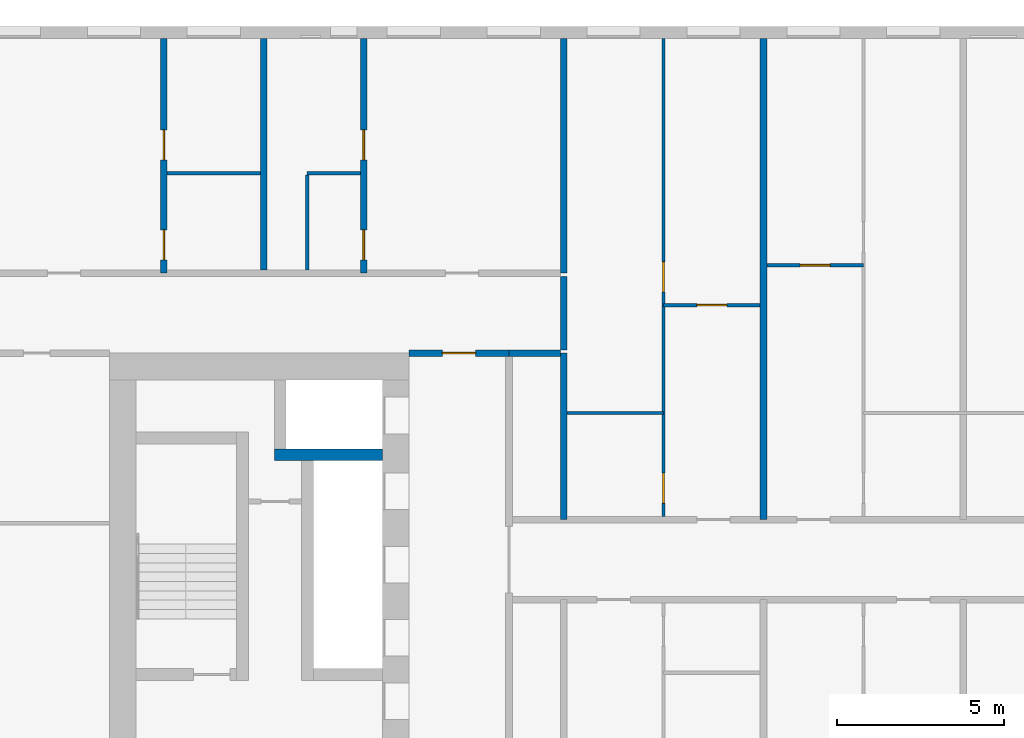
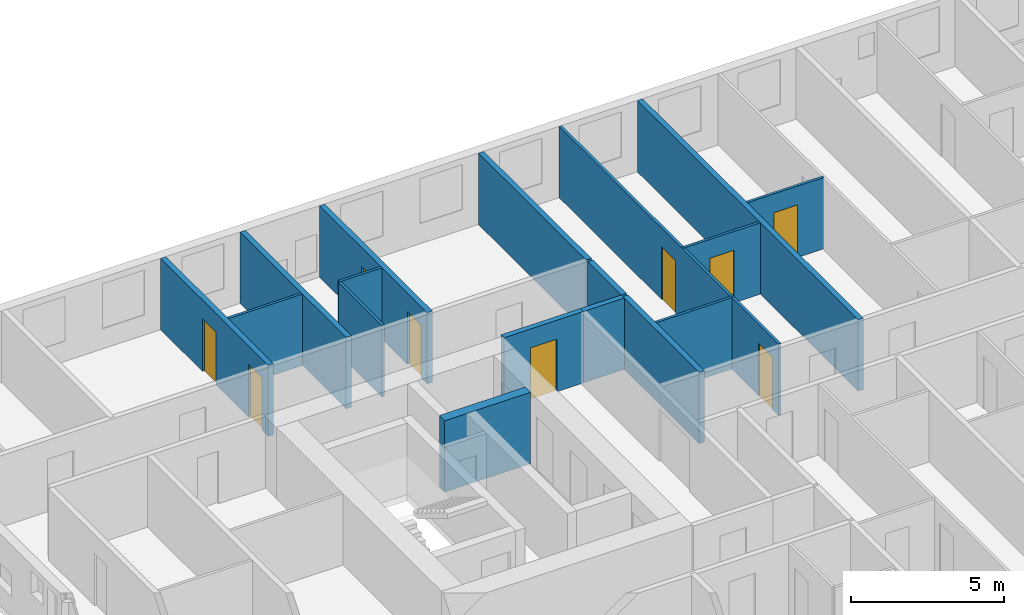
# One storey, part 5 of 17: 17 walls, 9 doors, 9 openings.
"""IFC4 building model written with IfcOpenShell, lengths in metres."""

from ifc_helpers import new_model, si_unit, direction, frame, frame_2d, origin, place, context, subcontext, project, spatial, rectangle, extrude, material, layer, layer_set, type_object, element, fill, save


model = new_model("IFC4")

# Units and contexts
model_context = context("Model", 3, precision=1e-05, world=origin(), true_north=direction((0.0, 1.0)))
body_context = subcontext(model_context, "Body", "Model", "MODEL_VIEW")
ifc_project = project(units=[si_unit("LENGTHUNIT", "METRE"), si_unit("AREAUNIT", "SQUARE_METRE"), si_unit("VOLUMEUNIT", "CUBIC_METRE"), si_unit("PLANEANGLEUNIT", "RADIAN"), si_unit("MASSUNIT", "GRAM", prefix="KILO")], contexts=[model_context])

# Site, building, storey
site_placement = place(None, origin())
site = spatial("IfcSite", under=ifc_project, at=site_placement, CompositionType="ELEMENT")
building_placement = place(site_placement, origin())
building = spatial("IfcBuilding", under=site, at=building_placement, Name="Tuart Gate Housing", CompositionType="ELEMENT")
storey_placement = place(building_placement, frame((0.0, 0.0, 53.60009765625)))
storey = spatial("IfcBuildingStorey", under=building, at=storey_placement, Name="L14", CompositionType="ELEMENT", Elevation=53.60009765625)

# Walls
ifc_material_1 = material(Name="Concrete C60", Category="concrete")
ifc_layer_1 = layer(ifc_material_1, 0.35009765625)
ifc_layer_set_1 = layer_set([ifc_layer_1], Name="Core wall 350 C60")
wall_type_1 = type_object("IfcWallType", Name="Core wall 350 C60", PredefinedType="SHEAR", material=ifc_layer_set_1)
wall_1_placement = place(storey_placement, frame((40.56005859375, 73.14990234375, 0.0), z_axis=(0.0, 0.0, 1.0), x_axis=(-1.0, 0.0, 0.0)))
element("IfcWall", 1, at=wall_1_placement, inside=storey, type_object=wall_type_1, Name="Core wall AK.2", PredefinedType="SHEAR", context=body_context, shape_type="SweptSolid", body=[
    extrude(rectangle(XDim=3.2451171875, YDim=0.35009765625, at=frame_2d((1.62255859375, 0.0))), origin(), (0.0, 0.0, 1.0), 2.849853515625),
])
ifc_material_2 = material(Name="Concrete masonry 15 MPa", Category="masonry")
ifc_layer_2 = layer(ifc_material_2, 0.199951171875)
ifc_layer_set_2 = layer_set([ifc_layer_2], Name="Corridor wall masonry 200")
wall_type_2 = type_object("IfcWallType", Name="Corridor wall masonry 200", PredefinedType="PARTITIONING", material=ifc_layer_set_2)
wall_2_placement = place(storey_placement, frame((44.360107421875, 76.199951171875, 0.0), z_axis=(0.0, 0.0, 1.0), x_axis=(1.0, 0.0, 0.0)))
element("IfcWall", 2, at=wall_2_placement, inside=storey, type_object=wall_type_2, Name="Corridor wall masonry 200", PredefinedType="PARTITIONING", context=body_context, shape_type="SweptSolid", body=[
    extrude(rectangle(XDim=1.539794921875, YDim=0.199951171875, at=frame_2d((0.77001953125, 0.0))), origin(), (0.0, 0.0, 1.0), 2.849853515625),
])
wall_3_placement = place(storey_placement, frame((46.0, 76.300048828125, 0.0), z_axis=(0.0, 0.0, 1.0), x_axis=(0.0, 1.0, 0.0)))
element("IfcWall", 3, at=wall_3_placement, inside=storey, type_object=wall_type_2, Name="Corridor wall masonry 200", PredefinedType="PARTITIONING", context=body_context, shape_type="SweptSolid", body=[
    extrude(rectangle(XDim=2.199951171875, YDim=0.199951171875, at=frame_2d((1.10009765625, 0.0))), origin(), (0.0, 0.0, 1.0), 2.849853515625),
])

# Wall, opening, door
ifc_material_3 = material(Name="Concrete masonry 15 MPa", Category="masonry")
ifc_layer_3 = layer(ifc_material_3, 0.199951171875)
ifc_layer_set_3 = layer_set([ifc_layer_3], Name="Enclosure wall masonry 200")
wall_type_3 = type_object("IfcWallType", Name="Enclosure wall masonry 200", PredefinedType="PARTITIONING", material=ifc_layer_set_3)
wall_4_placement = place(storey_placement, frame((41.360107421875, 76.199951171875, 0.0), z_axis=(0.0, 0.0, 1.0), x_axis=(1.0, 0.0, 0.0)))
wall_4 = element("IfcWall", 4, at=wall_4_placement, inside=storey, type_object=wall_type_3, Name="Enclosure wall masonry 200", PredefinedType="PARTITIONING", context=body_context, shape_type="SweptSolid", body=[
    extrude(rectangle(XDim=3.0, YDim=0.199951171875, at=frame_2d((1.5, 0.0))), origin(), (0.0, 0.0, 1.0), 2.849853515625),
])
opening_1_placement = place(wall_4_placement, frame((1.0, 0.0, 0.0)))
opening_1 = element("IfcOpeningElement", 5, at=opening_1_placement, cuts=wall_4, Name="Opening D735", PredefinedType="OPENING", context=body_context, shape_type="SweptSolid", body=[
    extrude(rectangle(XDim=1.0, YDim=2.10009765625, at=frame_2d((0.5, 1.050048828125))), frame((0.0, 0.10986328125, 0.0), z_axis=(0.0, -1.0, 0.0), x_axis=(1.0, 0.0, 0.0)), (0.0, 0.0, 1.0), 0.219970703125),
])
ifc_material_4 = material(Name="Timber door leaf in steel frame", Category="steel")
door_type_1 = type_object("IfcDoorType", Name="Fire door 1000 RH", OperationType="SINGLE_SWING_RIGHT", PredefinedType="DOOR", material=ifc_material_4)
door_1_placement = place(opening_1_placement, origin())
door_1 = element("IfcDoor", 6, at=door_1_placement, inside=storey, type_object=door_type_1, Name="Fire door", OperationType="SINGLE_SWING_RIGHT", OverallHeight=2.10009765625, OverallWidth=1.0, PredefinedType="DOOR", context=body_context, shape_type="SweptSolid", body=[
    extrude(rectangle(XDim=1.0, YDim=2.10009765625, at=frame_2d((0.5, 1.050048828125))), frame((0.0, 0.02490234375, 0.0), z_axis=(0.0, -1.0, 0.0), x_axis=(1.0, 0.0, 0.0)), (0.0, 0.0, 1.0), 0.050048828125),
])
fill(opening_1, door_1)

# Wall
ifc_material_5 = material(Name="Gypsum board on steel studs", Category="steel")
ifc_layer_4 = layer(ifc_material_5, 0.10009765625)
ifc_layer_set_4 = layer_set([ifc_layer_4], Name="Partition 100")
wall_type_4 = type_object("IfcWallType", Name="Partition 100", PredefinedType="PARTITIONING", material=ifc_layer_set_4)
wall_5_placement = place(storey_placement, frame((46.10009765625, 74.39990234375, 0.0), z_axis=(0.0, 0.0, 1.0), x_axis=(1.0, 0.0, 0.0)))
element("IfcWall", 7, at=wall_5_placement, inside=storey, type_object=wall_type_4, Name="Partition 100", PredefinedType="PARTITIONING", context=body_context, shape_type="SweptSolid", body=[
    extrude(rectangle(XDim=2.89990234375, YDim=0.10009765625, at=frame_2d((1.449951171875, 0.0))), origin(), (0.0, 0.0, 1.0), 2.849853515625),
])

# Wall, opening, door
wall_6_placement = place(storey_placement, frame((49.0, 77.639892578125, 0.0), z_axis=(0.0, 0.0, 1.0), x_axis=(1.0, 0.0, 0.0)))
wall_6 = element("IfcWall", 8, at=wall_6_placement, inside=storey, type_object=wall_type_4, Name="Partition 100", PredefinedType="PARTITIONING", context=body_context, shape_type="SweptSolid", body=[
    extrude(rectangle(XDim=2.89990234375, YDim=0.10009765625, at=frame_2d((1.449951171875, 0.0))), origin(), (0.0, 0.0, 1.0), 2.849853515625),
])
opening_2_placement = place(wall_6_placement, frame((1.0, 0.0, 0.0)))
opening_2 = element("IfcOpeningElement", 9, at=opening_2_placement, cuts=wall_6, Name="Opening D733", PredefinedType="OPENING", context=body_context, shape_type="SweptSolid", body=[
    extrude(rectangle(XDim=0.89990234375, YDim=2.10009765625, at=frame_2d((0.449951171875, 1.050048828125))), frame((0.0, 0.06005859375, 0.0), z_axis=(0.0, -1.0, 0.0), x_axis=(1.0, 0.0, 0.0)), (0.0, 0.0, 1.0), 0.1201171875),
])
ifc_material_6 = material(Name="Timber door leaf in steel frame", Category="steel")
door_type_2 = type_object("IfcDoorType", Name="Internal door 900 RH", OperationType="SINGLE_SWING_RIGHT", PredefinedType="DOOR", material=ifc_material_6)
door_2_placement = place(opening_2_placement, frame((0.89990234375, 0.0, 0.0), z_axis=(0.0, 0.0, 1.0), x_axis=(-1.0, 0.0, 0.0)))
door_2 = element("IfcDoor", 10, at=door_2_placement, inside=storey, type_object=door_type_2, Name="Internal door", OperationType="SINGLE_SWING_RIGHT", OverallHeight=2.10009765625, OverallWidth=0.89990234375, PredefinedType="DOOR", context=body_context, shape_type="SweptSolid", body=[
    extrude(rectangle(XDim=0.89990234375, YDim=2.10009765625, at=frame_2d((0.449951171875, 1.050048828125))), frame((0.0, 0.025146484375, 0.0), z_axis=(0.0, -1.0, 0.0), x_axis=(1.0, 0.0, 0.0)), (0.0, 0.0, 1.0), 0.050048828125),
])
fill(opening_2, door_2)

wall_7_placement = place(storey_placement, frame((52.10009765625, 78.840087890625, 0.0), z_axis=(0.0, 0.0, 1.0), x_axis=(1.0, 0.0, 0.0)))
wall_7 = element("IfcWall", 11, at=wall_7_placement, inside=storey, type_object=wall_type_4, Name="Partition 100", PredefinedType="PARTITIONING", context=body_context, shape_type="SweptSolid", body=[
    extrude(rectangle(XDim=2.89990234375, YDim=0.10009765625, at=frame_2d((1.449951171875, 0.0))), origin(), (0.0, 0.0, 1.0), 2.849853515625),
])
opening_3_placement = place(wall_7_placement, frame((1.0, 0.0, 0.0)))
opening_3 = element("IfcOpeningElement", 12, at=opening_3_placement, cuts=wall_7, Name="Opening D723", PredefinedType="OPENING", context=body_context, shape_type="SweptSolid", body=[
    extrude(rectangle(XDim=0.89990234375, YDim=2.10009765625, at=frame_2d((0.449951171875, 1.050048828125))), frame((0.0, 0.06005859375, 0.0), z_axis=(0.0, -1.0, 0.0), x_axis=(1.0, 0.0, 0.0)), (0.0, 0.0, 1.0), 0.1201171875),
])
ifc_material_7 = material(Name="Timber door leaf in steel frame", Category="steel")
door_type_3 = type_object("IfcDoorType", Name="Internal door 900", OperationType="SINGLE_SWING_LEFT", PredefinedType="DOOR", material=ifc_material_7)
door_3_placement = place(opening_3_placement, frame((0.89990234375, 0.0, 0.0), z_axis=(0.0, 0.0, 1.0), x_axis=(-1.0, 0.0, 0.0)))
door_3 = element("IfcDoor", 13, at=door_3_placement, inside=storey, type_object=door_type_3, Name="Internal door", OperationType="SINGLE_SWING_LEFT", OverallHeight=2.10009765625, OverallWidth=0.89990234375, PredefinedType="DOOR", context=body_context, shape_type="SweptSolid", body=[
    extrude(rectangle(XDim=0.89990234375, YDim=2.10009765625, at=frame_2d((0.449951171875, 1.050048828125))), frame((0.0, 0.025146484375, 0.0), z_axis=(0.0, -1.0, 0.0), x_axis=(1.0, 0.0, 0.0)), (0.0, 0.0, 1.0), 0.050048828125),
])
fill(opening_3, door_3)

# Walls
wall_8_placement = place(storey_placement, frame((34.10009765625, 81.60009765625, 0.0), z_axis=(0.0, 0.0, 1.0), x_axis=(1.0, 0.0, 0.0)))
element("IfcWall", 14, at=wall_8_placement, inside=storey, type_object=wall_type_4, Name="Partition 100", PredefinedType="PARTITIONING", context=body_context, shape_type="SweptSolid", body=[
    extrude(rectangle(XDim=2.7998046875, YDim=0.10009765625, at=frame_2d((1.39990234375, 0.0))), origin(), (0.0, 0.0, 1.0), 2.849853515625),
])
wall_9_placement = place(storey_placement, frame((38.300048828125, 81.60009765625, 0.0), z_axis=(0.0, 0.0, 1.0), x_axis=(1.0, 0.0, 0.0)))
element("IfcWall", 15, at=wall_9_placement, inside=storey, type_object=wall_type_4, Name="Partition 100", PredefinedType="PARTITIONING", context=body_context, shape_type="SweptSolid", body=[
    extrude(rectangle(XDim=1.599853515625, YDim=0.10009765625, at=frame_2d((0.7998046875, 0.0))), origin(), (0.0, 0.0, 1.0), 2.849853515625),
])
wall_10_placement = place(storey_placement, frame((38.300048828125, 78.699951171875, 0.0), z_axis=(0.0, 0.0, 1.0), x_axis=(0.0, 1.0, 0.0)))
element("IfcWall", 16, at=wall_10_placement, inside=storey, type_object=wall_type_4, Name="Partition 100", PredefinedType="PARTITIONING", context=body_context, shape_type="SweptSolid", body=[
    extrude(rectangle(XDim=2.85009765625, YDim=0.10009765625, at=frame_2d((1.425048828125, 0.0))), origin(), (0.0, 0.0, 1.0), 2.849853515625),
])

# Wall, openings, doors
wall_11_placement = place(storey_placement, frame((49.0, 71.300048828125, 0.0), z_axis=(0.0, 0.0, 1.0), x_axis=(0.0, 1.0, 0.0)))
wall_11 = element("IfcWall", 17, at=wall_11_placement, inside=storey, type_object=wall_type_4, Name="Partition 100", PredefinedType="PARTITIONING", context=body_context, shape_type="SweptSolid", body=[
    extrude(rectangle(XDim=14.33984375, YDim=0.10009765625, at=frame_2d((7.169921875, 0.0))), origin(), (0.0, 0.0, 1.0), 2.849853515625),
])
opening_4_placement = place(wall_11_placement, frame((6.739990234375, 0.0, 0.0)))
opening_4 = element("IfcOpeningElement", 18, at=opening_4_placement, cuts=wall_11, Name="Opening D728", PredefinedType="OPENING", context=body_context, shape_type="SweptSolid", body=[
    extrude(rectangle(XDim=0.89990234375, YDim=2.10009765625, at=frame_2d((0.449951171875, 1.050048828125))), frame((0.0, 0.06005859375, 0.0), z_axis=(0.0, -1.0, 0.0), x_axis=(1.0, 0.0, 0.0)), (0.0, 0.0, 1.0), 0.1201171875),
])
opening_5_placement = place(wall_11_placement, frame((0.39990234375, 0.0, 0.0)))
opening_5 = element("IfcOpeningElement", 19, at=opening_5_placement, cuts=wall_11, Name="Opening D727", PredefinedType="OPENING", context=body_context, shape_type="SweptSolid", body=[
    extrude(rectangle(XDim=0.89990234375, YDim=2.10009765625, at=frame_2d((0.449951171875, 1.050048828125))), frame((0.0, 0.06005859375, 0.0), z_axis=(0.0, -1.0, 0.0), x_axis=(1.0, 0.0, 0.0)), (0.0, 0.0, 1.0), 0.1201171875),
])
ifc_material_8 = material(Name="Timber door leaf in steel frame", Category="steel")
door_type_4 = type_object("IfcDoorType", Name="Bathroom door 900", OperationType="SINGLE_SWING_LEFT", PredefinedType="DOOR", material=ifc_material_8)
door_4_placement = place(opening_5_placement, origin())
door_4 = element("IfcDoor", 20, at=door_4_placement, inside=storey, type_object=door_type_4, Name="Bathroom door", OperationType="SINGLE_SWING_LEFT", OverallHeight=2.10009765625, OverallWidth=0.89990234375, PredefinedType="DOOR", context=body_context, shape_type="SweptSolid", body=[
    extrude(rectangle(XDim=0.89990234375, YDim=2.10009765625, at=frame_2d((0.449951171875, 1.050048828125))), frame((0.0, 0.02490234375, 0.0), z_axis=(0.0, -1.0, 0.0), x_axis=(1.0, 0.0, 0.0)), (0.0, 0.0, 1.0), 0.050048828125),
])
fill(opening_5, door_4)
door_5_placement = place(opening_4_placement, origin())
door_5 = element("IfcDoor", 21, at=door_5_placement, inside=storey, type_object=door_type_3, Name="Internal door", OperationType="SINGLE_SWING_LEFT", OverallHeight=2.10009765625, OverallWidth=0.89990234375, PredefinedType="DOOR", context=body_context, shape_type="SweptSolid", body=[
    extrude(rectangle(XDim=0.89990234375, YDim=2.10009765625, at=frame_2d((0.449951171875, 1.050048828125))), frame((0.0, 0.02490234375, 0.0), z_axis=(0.0, -1.0, 0.0), x_axis=(1.0, 0.0, 0.0)), (0.0, 0.0, 1.0), 0.050048828125),
])
fill(opening_4, door_5)

ifc_material_9 = material(Name="Concrete C40", Category="concrete")
ifc_layer_5 = layer(ifc_material_9, 0.199951171875)
ifc_layer_set_5 = layer_set([ifc_layer_5], Name="Party wall concrete C40 200")
wall_type_5 = type_object("IfcWallType", Name="Party wall concrete C40 200", PredefinedType="SOLIDWALL", material=ifc_layer_set_5)
wall_12_placement = place(storey_placement, frame((34.0, 78.60009765625, 0.0), z_axis=(0.0, 0.0, 1.0), x_axis=(0.0, 1.0, 0.0)))
wall_12 = element("IfcWall", 22, at=wall_12_placement, inside=storey, type_object=wall_type_5, Name="Party wall concrete C40 200", PredefinedType="SOLIDWALL", context=body_context, shape_type="SweptSolid", body=[
    extrude(rectangle(XDim=7.039794921875, YDim=0.199951171875, at=frame_2d((3.52001953125, 0.0))), origin(), (0.0, 0.0, 1.0), 2.849853515625),
])
opening_6_placement = place(wall_12_placement, frame((3.39990234375, 0.0, 0.0)))
opening_6 = element("IfcOpeningElement", 23, at=opening_6_placement, cuts=wall_12, Name="Opening D714", PredefinedType="OPENING", context=body_context, shape_type="SweptSolid", body=[
    extrude(rectangle(XDim=0.89990234375, YDim=2.10009765625, at=frame_2d((0.449951171875, 1.050048828125))), frame((0.0, 0.10986328125, 0.0), z_axis=(0.0, -1.0, 0.0), x_axis=(1.0, 0.0, 0.0)), (0.0, 0.0, 1.0), 0.219970703125),
])
opening_7_placement = place(wall_12_placement, frame((0.39990234375, 0.0, 0.0)))
opening_7 = element("IfcOpeningElement", 24, at=opening_7_placement, cuts=wall_12, Name="Opening D713", PredefinedType="OPENING", context=body_context, shape_type="SweptSolid", body=[
    extrude(rectangle(XDim=0.89990234375, YDim=2.10009765625, at=frame_2d((0.449951171875, 1.050048828125))), frame((0.0, 0.10986328125, 0.0), z_axis=(0.0, -1.0, 0.0), x_axis=(1.0, 0.0, 0.0)), (0.0, 0.0, 1.0), 0.219970703125),
])
ifc_material_10 = material(Name="Timber door leaf in steel frame", Category="steel")
door_type_5 = type_object("IfcDoorType", Name="Bathroom door 900 RH", OperationType="SINGLE_SWING_RIGHT", PredefinedType="DOOR", material=ifc_material_10)
door_6_placement = place(opening_7_placement, frame((0.89990234375, 0.0, 0.0), z_axis=(0.0, 0.0, 1.0), x_axis=(-1.0, 0.0, 0.0)))
door_6 = element("IfcDoor", 25, at=door_6_placement, inside=storey, type_object=door_type_5, Name="Bathroom door", OperationType="SINGLE_SWING_RIGHT", OverallHeight=2.10009765625, OverallWidth=0.89990234375, PredefinedType="DOOR", context=body_context, shape_type="SweptSolid", body=[
    extrude(rectangle(XDim=0.89990234375, YDim=2.10009765625, at=frame_2d((0.449951171875, 1.050048828125))), frame((0.0, 0.025146484375, 0.0), z_axis=(0.0, -1.0, 0.0), x_axis=(1.0, 0.0, 0.0)), (0.0, 0.0, 1.0), 0.050048828125),
])
fill(opening_7, door_6)
door_7_placement = place(opening_6_placement, frame((0.89990234375, 0.0, 0.0), z_axis=(0.0, 0.0, 1.0), x_axis=(-1.0, 0.0, 0.0)))
door_7 = element("IfcDoor", 26, at=door_7_placement, inside=storey, type_object=door_type_2, Name="Internal door", OperationType="SINGLE_SWING_RIGHT", OverallHeight=2.10009765625, OverallWidth=0.89990234375, PredefinedType="DOOR", context=body_context, shape_type="SweptSolid", body=[
    extrude(rectangle(XDim=0.89990234375, YDim=2.10009765625, at=frame_2d((0.449951171875, 1.050048828125))), frame((0.0, 0.025146484375, 0.0), z_axis=(0.0, -1.0, 0.0), x_axis=(1.0, 0.0, 0.0)), (0.0, 0.0, 1.0), 0.050048828125),
])
fill(opening_6, door_7)

wall_13_placement = place(storey_placement, frame((40.0, 78.60009765625, 0.0), z_axis=(0.0, 0.0, 1.0), x_axis=(0.0, 1.0, 0.0)))
wall_13 = element("IfcWall", 27, at=wall_13_placement, inside=storey, type_object=wall_type_5, Name="Party wall concrete C40 200", PredefinedType="SOLIDWALL", context=body_context, shape_type="SweptSolid", body=[
    extrude(rectangle(XDim=7.039794921875, YDim=0.199951171875, at=frame_2d((3.52001953125, 0.0))), origin(), (0.0, 0.0, 1.0), 2.849853515625),
])
opening_8_placement = place(wall_13_placement, frame((3.39990234375, 0.0, 0.0)))
opening_8 = element("IfcOpeningElement", 28, at=opening_8_placement, cuts=wall_13, Name="Opening D716", PredefinedType="OPENING", context=body_context, shape_type="SweptSolid", body=[
    extrude(rectangle(XDim=0.89990234375, YDim=2.10009765625, at=frame_2d((0.449951171875, 1.050048828125))), frame((0.0, 0.10986328125, 0.0), z_axis=(0.0, -1.0, 0.0), x_axis=(1.0, 0.0, 0.0)), (0.0, 0.0, 1.0), 0.219970703125),
])
opening_9_placement = place(wall_13_placement, frame((0.39990234375, 0.0, 0.0)))
opening_9 = element("IfcOpeningElement", 29, at=opening_9_placement, cuts=wall_13, Name="Opening D715", PredefinedType="OPENING", context=body_context, shape_type="SweptSolid", body=[
    extrude(rectangle(XDim=0.89990234375, YDim=2.10009765625, at=frame_2d((0.449951171875, 1.050048828125))), frame((0.0, 0.10986328125, 0.0), z_axis=(0.0, -1.0, 0.0), x_axis=(1.0, 0.0, 0.0)), (0.0, 0.0, 1.0), 0.219970703125),
])
door_8_placement = place(opening_9_placement, origin())
door_8 = element("IfcDoor", 30, at=door_8_placement, inside=storey, type_object=door_type_4, Name="Bathroom door", OperationType="SINGLE_SWING_LEFT", OverallHeight=2.10009765625, OverallWidth=0.89990234375, PredefinedType="DOOR", context=body_context, shape_type="SweptSolid", body=[
    extrude(rectangle(XDim=0.89990234375, YDim=2.10009765625, at=frame_2d((0.449951171875, 1.050048828125))), frame((0.0, 0.02490234375, 0.0), z_axis=(0.0, -1.0, 0.0), x_axis=(1.0, 0.0, 0.0)), (0.0, 0.0, 1.0), 0.050048828125),
])
fill(opening_9, door_8)
door_9_placement = place(opening_8_placement, origin())
door_9 = element("IfcDoor", 31, at=door_9_placement, inside=storey, type_object=door_type_3, Name="Internal door", OperationType="SINGLE_SWING_LEFT", OverallHeight=2.10009765625, OverallWidth=0.89990234375, PredefinedType="DOOR", context=body_context, shape_type="SweptSolid", body=[
    extrude(rectangle(XDim=0.89990234375, YDim=2.10009765625, at=frame_2d((0.449951171875, 1.050048828125))), frame((0.0, 0.02490234375, 0.0), z_axis=(0.0, -1.0, 0.0), x_axis=(1.0, 0.0, 0.0)), (0.0, 0.0, 1.0), 0.050048828125),
])
fill(opening_8, door_9)

# Walls
wall_14_placement = place(storey_placement, frame((46.0, 71.199951171875, 0.0), z_axis=(0.0, 0.0, 1.0), x_axis=(0.0, 1.0, 0.0)))
element("IfcWall", 32, at=wall_14_placement, inside=storey, type_object=wall_type_5, Name="Party wall concrete C40 200", PredefinedType="SOLIDWALL", context=body_context, shape_type="SweptSolid", body=[
    extrude(rectangle(XDim=5.0, YDim=0.199951171875, at=frame_2d((2.5, 0.0))), origin(), (0.0, 0.0, 1.0), 2.849853515625),
])
wall_15_placement = place(storey_placement, frame((46.0, 78.60009765625, 0.0), z_axis=(0.0, 0.0, 1.0), x_axis=(0.0, 1.0, 0.0)))
element("IfcWall", 33, at=wall_15_placement, inside=storey, type_object=wall_type_5, Name="Party wall concrete C40 200", PredefinedType="SOLIDWALL", context=body_context, shape_type="SweptSolid", body=[
    extrude(rectangle(XDim=7.039794921875, YDim=0.199951171875, at=frame_2d((3.52001953125, 0.0))), origin(), (0.0, 0.0, 1.0), 2.849853515625),
])
wall_16_placement = place(storey_placement, frame((52.0, 71.199951171875, 0.0), z_axis=(0.0, 0.0, 1.0), x_axis=(0.0, 1.0, 0.0)))
element("IfcWall", 34, at=wall_16_placement, inside=storey, type_object=wall_type_5, Name="Party wall concrete C40 200", PredefinedType="SOLIDWALL", context=body_context, shape_type="SweptSolid", body=[
    extrude(rectangle(XDim=14.43994140625, YDim=0.199951171875, at=frame_2d((7.219970703125, 0.0))), origin(), (0.0, 0.0, 1.0), 2.849853515625),
])
ifc_material_11 = material(Name="Concrete masonry 15 MPa", Category="masonry")
ifc_layer_6 = layer(ifc_material_11, 0.199951171875)
ifc_layer_set_6 = layer_set([ifc_layer_6], Name="Party wall masonry 200")
wall_type_6 = type_object("IfcWallType", Name="Party wall masonry 200", PredefinedType="PARTITIONING", material=ifc_layer_set_6)
wall_17_placement = place(storey_placement, frame((37.0, 78.699951171875, 0.0), z_axis=(0.0, 0.0, 1.0), x_axis=(0.0, 1.0, 0.0)))
element("IfcWall", 35, at=wall_17_placement, inside=storey, type_object=wall_type_6, Name="Party wall masonry 200", PredefinedType="PARTITIONING", context=body_context, shape_type="SweptSolid", body=[
    extrude(rectangle(XDim=6.93994140625, YDim=0.199951171875, at=frame_2d((3.469970703125, 0.0))), origin(), (0.0, 0.0, 1.0), 2.849853515625),
])

save(model, "model.ifc")
